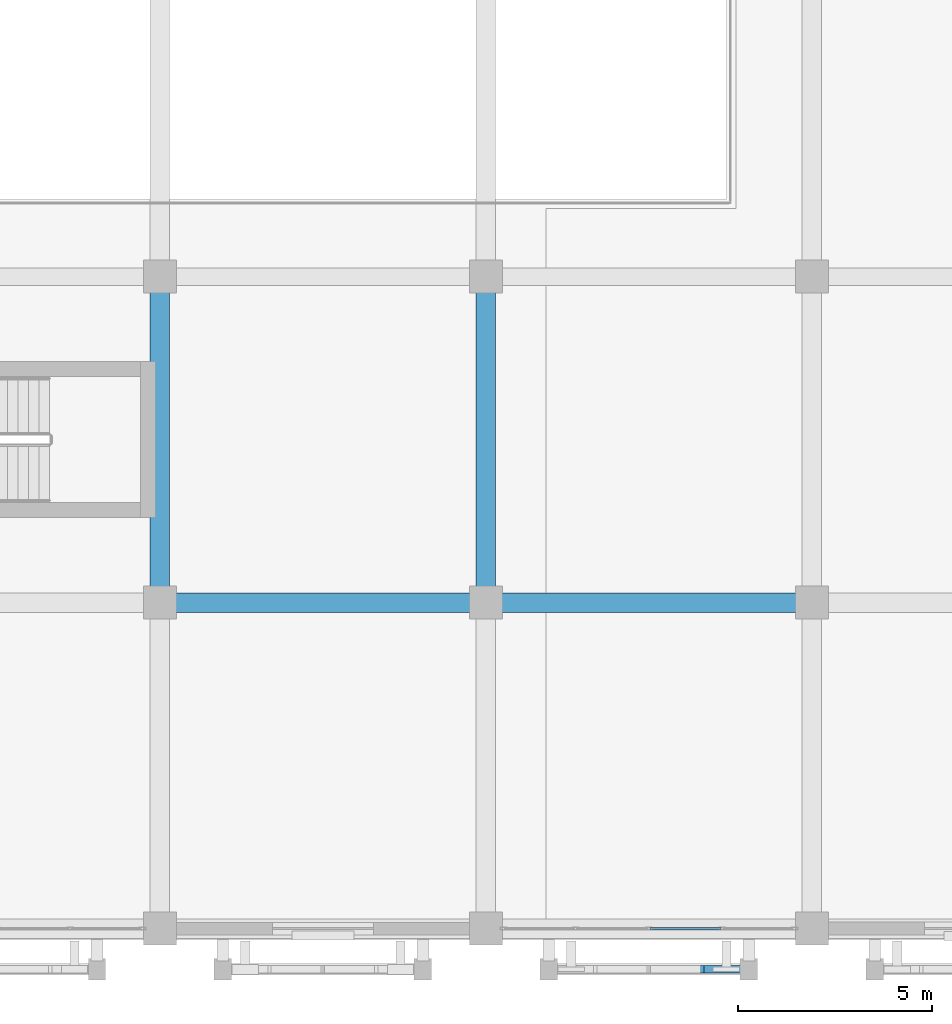
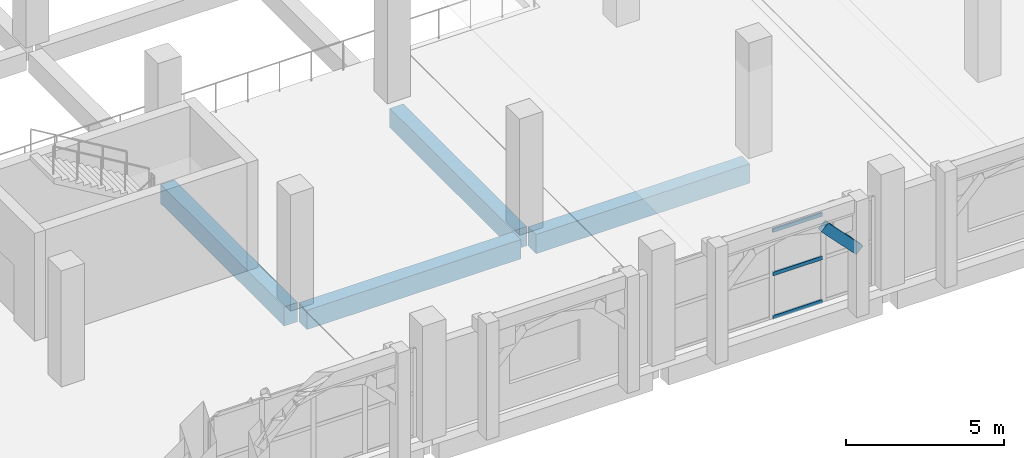
# One storey, part 14 of 137: 4 beams, 4 members, 1 element without a shape of its own.
"""IFC4 building model written with IfcOpenShell, lengths in metres."""

from ifc_helpers import new_model, si_unit, direction, frame, origin, origin_2d, place, context, subcontext, project, spatial, rectangle, hollow_rectangle, extrude, material, layer, layer_set, material_profile, profile_set, type_object, element, aggregate, save


model = new_model("IFC4")

# Units and contexts
model_context = context("Model", 3, precision=1e-05, world=origin(), true_north=direction((0.0, 1.0)))
body_context = subcontext(model_context, "Body", "Model", "MODEL_VIEW")
ifc_project = project(units=[si_unit("LENGTHUNIT", "METRE"), si_unit("AREAUNIT", "SQUARE_METRE"), si_unit("VOLUMEUNIT", "CUBIC_METRE"), si_unit("PLANEANGLEUNIT", "RADIAN"), si_unit("MASSUNIT", "GRAM", prefix="KILO")], contexts=[model_context])

# Site, building, storey
site_placement = place(None, origin())
site = spatial("IfcSite", under=ifc_project, at=site_placement, CompositionType="ELEMENT")
building_placement = place(site_placement, origin())
building = spatial("IfcBuilding", under=site, at=building_placement, Name="Xazarin Passage Department Store", CompositionType="ELEMENT")
storey_placement = place(building_placement, frame((0.0, 0.0, 5.39990234375)))
storey = spatial("IfcBuildingStorey", under=building, at=storey_placement, Name="L01", CompositionType="ELEMENT", Elevation=5.39990234375)

# Curtain wall, members
ifc_material_1 = material(Name="Bronze anodised aluminium", Category="aluminium")
ifc_layer = layer(ifc_material_1, 0.18994140625)
ifc_layer_set = layer_set([ifc_layer], Name="Bronze anodised aluminium")
curtain_wall_type = type_object("IfcCurtainWallType", Name="ARC-CW-FDH1", PredefinedType="NOTDEFINED", material=ifc_layer_set)
curtain_wall_placement = place(storey_placement, origin())
curtain_wall = element("IfcCurtainWall", 1, at=curtain_wall_placement, inside=storey, type_object=curtain_wall_type, Name="L01 V3 Curtain Wall 125", PredefinedType="NOTDEFINED")
ifc_material_profile_1 = material_profile(ifc_material_1, hollow_rectangle(XDim=0.06494140625, YDim=0.139892578125, WallThickness=0.00390625, at=origin_2d()), Name="ALU 65x140")
ifc_profile_set_1 = profile_set([ifc_material_profile_1], Name="Bronze anodised aluminium")
member_type_1 = type_object("IfcMemberType", Name="ARC-CWT-65x140", PredefinedType="USERDEFINED", material=ifc_profile_set_1)
member_1_placement = place(storey_placement, frame((46.232421875, 0.0, 0.03271484375), z_axis=(1.0, 0.0, 0.0), x_axis=(0.0, 1.0, 0.0)))
member_1 = element("IfcMember", 2, at=member_1_placement, type_object=member_type_1, Name="CW5 transom 3.1", ObjectType="TRANSOM", PredefinedType="USERDEFINED", context=body_context, shape_type="SweptSolid", body=[
    extrude(hollow_rectangle(XDim=0.06494140625, YDim=0.139892578125, WallThickness=0.00390625, at=origin_2d()), origin(), (0.0, 0.0, 1.0), 1.822509765625),
])
member_2_placement = place(storey_placement, frame((46.232421875, 0.0, 1.715087890625), z_axis=(1.0, 0.0, 0.0), x_axis=(0.0, 1.0, 0.0)))
member_2 = element("IfcMember", 3, at=member_2_placement, type_object=member_type_1, Name="CW5 transom 3.2", ObjectType="TRANSOM", PredefinedType="USERDEFINED", context=body_context, shape_type="SweptSolid", body=[
    extrude(hollow_rectangle(XDim=0.06494140625, YDim=0.139892578125, WallThickness=0.00390625, at=origin_2d()), origin(), (0.0, 0.0, 1.0), 1.822509765625),
])
member_3_placement = place(storey_placement, frame((46.232421875, 0.0, 3.397705078125), z_axis=(1.0, 0.0, 0.0), x_axis=(0.0, 1.0, 0.0)))
member_3 = element("IfcMember", 4, at=member_3_placement, type_object=member_type_1, Name="CW5 transom 3.3", ObjectType="TRANSOM", PredefinedType="USERDEFINED", context=body_context, shape_type="SweptSolid", body=[
    extrude(hollow_rectangle(XDim=0.06494140625, YDim=0.139892578125, WallThickness=0.00390625, at=origin_2d()), origin(), (0.0, 0.0, 1.0), 1.822509765625),
])
aggregate(curtain_wall, [member_1, member_2, member_3])

# Beams
ifc_material_2 = material(Name="Concrete C35/45", Category="concrete")
ifc_material_profile_2 = material_profile(ifc_material_2, rectangle(XDim=0.5, YDim=0.75, at=origin_2d()), Name="RC 500x750")
ifc_profile_set_2 = profile_set([ifc_material_profile_2], Name="Concrete C35/45")
beam_type = type_object("IfcBeamType", Name="STR-BM-SP500x750", PredefinedType="SPANDREL", material=ifc_profile_set_2)
for number, where, z_axis, x_axis, name in (
    (5, (33.8798828125, 8.39990234375, -0.69482421875), (1.0, 0.0, 0.0), (0.0, 1.0, 0.0), "L01 Grid Beam B/5-6"),
    (6, (42.280029296875, 8.39990234375, -0.69482421875), (1.0, 0.0, 0.0), (0.0, 1.0, 0.0), "L01 Grid Beam B/6-7"),
    (7, (33.60009765625, 8.679931640625, -0.69482421875), (0.0, 1.0, 0.0), (-1.0, 0.0, 0.0), "L01 Grid Beam 5/B-C"),
    (8, (42.0, 8.679931640625, -0.69482421875), (0.0, 1.0, 0.0), (-1.0, 0.0, 0.0), "L01 Grid Beam 6/B-C"),
):
    element("IfcBeam", number, at=place(storey_placement, frame(where, z_axis=z_axis, x_axis=x_axis)), inside=storey, type_object=beam_type, Name=name, PredefinedType="SPANDREL", context=body_context, shape_type="SweptSolid", body=[
        extrude(rectangle(XDim=0.5, YDim=0.75, at=origin_2d()), origin(), (0.0, 0.0, 1.0), 7.840087890625),
    ])

# Member
ifc_material_3 = material(Name="Concrete C40/50", Category="concrete")
ifc_material_profile_3 = material_profile(ifc_material_3, rectangle(XDim=0.199951171875, YDim=0.360107421875, at=origin_2d()), Name="RC 200x360")
ifc_profile_set_3 = profile_set([ifc_material_profile_3], Name="Concrete C40/50")
member_type_2 = type_object("IfcMemberType", Name="STR-MEM-ARC360", PredefinedType="CHORD", material=ifc_profile_set_3)
member_4_placement = place(storey_placement, frame((47.489990234375, -1.050048828125, 3.7705078125), z_axis=(0.693460080602, 0.0, -0.720495049679), x_axis=(0.0, 1.0, 0.0)))
element("IfcMember", 9, at=member_4_placement, inside=storey, type_object=member_type_2, Name="L01 V3 Pierced Lattice Curved Arch 031.4", PredefinedType="CHORD", context=body_context, shape_type="SweptSolid", body=[
    extrude(rectangle(XDim=0.199951171875, YDim=0.360107421875, at=origin_2d()), origin(), (0.0, 0.0, 1.0), 1.8603515625),
])

save(model, "model.ifc")
